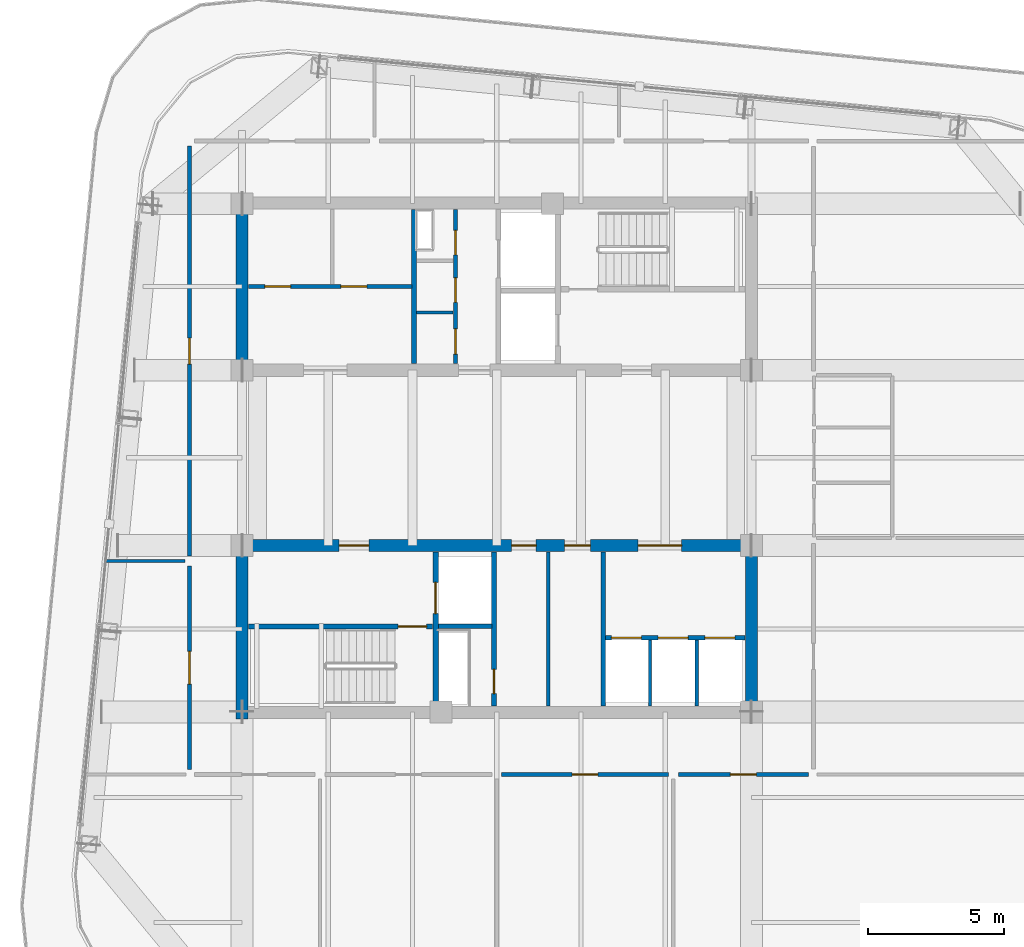
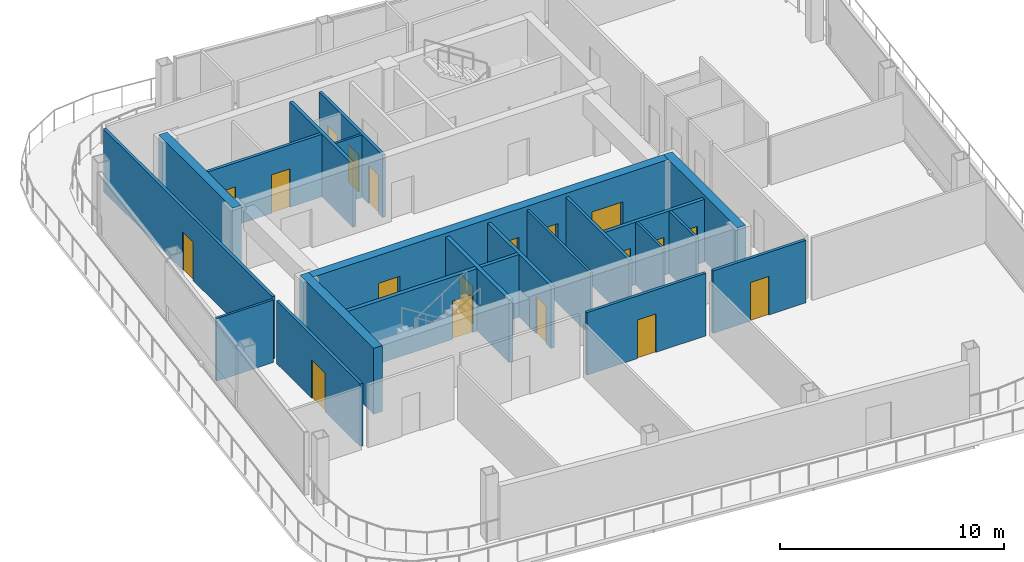
# One storey, part 13 of 20: 22 walls, 19 doors, 19 openings.
"""IFC4 building model written with IfcOpenShell, lengths in metres."""

from ifc_helpers import new_model, si_unit, direction, frame, frame_2d, origin, place, context, subcontext, project, spatial, rectangle, extrude, material, layer, layer_set, type_object, element, fill, save


model = new_model("IFC4")

# Units and contexts
model_context = context("Model", 3, precision=1e-05, world=origin(), true_north=direction((0.0, 1.0)))
body_context = subcontext(model_context, "Body", "Model", "MODEL_VIEW")
ifc_project = project(units=[si_unit("LENGTHUNIT", "METRE"), si_unit("AREAUNIT", "SQUARE_METRE"), si_unit("VOLUMEUNIT", "CUBIC_METRE"), si_unit("PLANEANGLEUNIT", "RADIAN"), si_unit("MASSUNIT", "GRAM", prefix="KILO")], contexts=[model_context])

# Site, building, storey
site_placement = place(None, origin())
site = spatial("IfcSite", under=ifc_project, at=site_placement, CompositionType="ELEMENT")
building_placement = place(site_placement, origin())
building = spatial("IfcBuilding", under=site, at=building_placement, Name="Qhalaya Broadcast Tower", CompositionType="ELEMENT")
storey_placement = place(building_placement, frame((0.0, 0.0, 273.35009765625)))
storey = spatial("IfcBuildingStorey", under=building, at=storey_placement, Name="L81", CompositionType="ELEMENT", Elevation=273.35009765625)

# Wall, openings, doors
ifc_material_1 = material(Name="Gypsum Acoustic Partition")
ifc_layer_1 = layer(ifc_material_1, 0.14990234375, Name="Gypsum Acoustic Partition")
ifc_layer_set_1 = layer_set([ifc_layer_1], Name="Gypsum Acoustic Partition")
wall_type_1 = type_object("IfcWallType", Name="Corridor & Tenancy Acoustic Partition 150", PredefinedType="PARTITIONING", material=ifc_layer_set_1)
wall_1_placement = place(storey_placement, frame((-1.52001953125, 4.070068359375, 0.0), z_axis=(0.0, 0.0, 1.0), x_axis=(0.0, 1.0, 0.0)))
wall_1 = element("IfcWall", 1, at=wall_1_placement, inside=storey, type_object=wall_type_1, Name="L81 Partition Wall NCW-SVL", PredefinedType="PARTITIONING", context=body_context, shape_type="SweptSolid", body=[
    extrude(rectangle(XDim=5.659912109375, YDim=0.14990234375, at=frame_2d((2.830078125, 0.0))), origin(), (0.0, 0.0, 1.0), 3.409912109375),
])
opening_1_placement = place(wall_1_placement, frame((4.0, 0.0, 0.0)))
opening_1 = element("IfcOpeningElement", 2, at=opening_1_placement, cuts=wall_1, Name="Opening D06", PredefinedType="OPENING", context=body_context, shape_type="SweptSolid", body=[
    extrude(rectangle(XDim=0.89990234375, YDim=2.050048828125, at=frame_2d((0.449951171875, 1.02490234375))), frame((0.0, 0.0869140625, 0.0), z_axis=(0.0, -1.0, 0.0), x_axis=(1.0, 0.0, 0.0)), (0.0, 0.0, 1.0), 0.173828125),
])
opening_2_placement = place(wall_1_placement, frame((2.25, 0.0, 0.0)))
opening_2 = element("IfcOpeningElement", 3, at=opening_2_placement, cuts=wall_1, Name="Opening D06", PredefinedType="OPENING", context=body_context, shape_type="SweptSolid", body=[
    extrude(rectangle(XDim=0.89990234375, YDim=2.050048828125, at=frame_2d((0.449951171875, 1.02490234375))), frame((0.0, 0.0869140625, 0.0), z_axis=(0.0, -1.0, 0.0), x_axis=(1.0, 0.0, 0.0)), (0.0, 0.0, 1.0), 0.173828125),
])
opening_3_placement = place(wall_1_placement, frame((0.35009765625, 0.0, 0.0)))
opening_3 = element("IfcOpeningElement", 4, at=opening_3_placement, cuts=wall_1, Name="Opening D12", PredefinedType="OPENING", context=body_context, shape_type="SweptSolid", body=[
    extrude(rectangle(XDim=0.919921875, YDim=2.10009765625, at=frame_2d((0.4599609375, 1.050048828125))), frame((0.0, 0.0869140625, 0.0), z_axis=(0.0, -1.0, 0.0), x_axis=(1.0, 0.0, 0.0)), (0.0, 0.0, 1.0), 0.173828125),
])
ifc_material_2 = material(Name="Timber Veneer Acoustic Door", Category="wood")
door_type_1 = type_object("IfcDoorType", Name="Accessible WC & Restroom Door D12", OperationType="NOTDEFINED", PredefinedType="DOOR", material=ifc_material_2)
door_1_placement = place(opening_3_placement, origin())
door_1 = element("IfcDoor", 5, at=door_1_placement, inside=storey, type_object=door_type_1, Name="L81 Door D-NCWC", OperationType="SINGLE_SWING_RIGHT", OverallHeight=2.10009765625, OverallWidth=0.919921875, PredefinedType="DOOR", context=body_context, shape_type="SweptSolid", body=[
    extrude(rectangle(XDim=0.919921875, YDim=2.10009765625, at=frame_2d((0.4599609375, 1.050048828125))), frame((0.0, 0.02490234375, 0.0), z_axis=(0.0, -1.0, 0.0), x_axis=(1.0, 0.0, 0.0)), (0.0, 0.0, 1.0), 0.050048828125),
])
fill(opening_3, door_1)
ifc_material_3 = material(Name="Fire-Rated Steel Door", Category="steel")
door_type_2 = type_object("IfcDoorType", Name="Riser & Electrical Shaft Access Door D06", OperationType="NOTDEFINED", PredefinedType="DOOR", material=ifc_material_3)
door_2_placement = place(opening_1_placement, origin())
door_2 = element("IfcDoor", 6, at=door_2_placement, inside=storey, type_object=door_type_2, Name="L81 Riser Shaft Access Door D-NRSR", OperationType="SINGLE_SWING_RIGHT", OverallHeight=2.050048828125, OverallWidth=0.89990234375, PredefinedType="DOOR", context=body_context, shape_type="SweptSolid", body=[
    extrude(rectangle(XDim=0.89990234375, YDim=2.050048828125, at=frame_2d((0.449951171875, 1.02490234375))), frame((0.0, 0.02490234375, 0.0), z_axis=(0.0, -1.0, 0.0), x_axis=(1.0, 0.0, 0.0)), (0.0, 0.0, 1.0), 0.050048828125),
])
fill(opening_1, door_2)
door_3_placement = place(opening_2_placement, origin())
door_3 = element("IfcDoor", 7, at=door_3_placement, inside=storey, type_object=door_type_2, Name="L81 Door D-NITR", OperationType="SINGLE_SWING_LEFT", OverallHeight=2.050048828125, OverallWidth=0.89990234375, PredefinedType="DOOR", context=body_context, shape_type="SweptSolid", body=[
    extrude(rectangle(XDim=0.89990234375, YDim=2.050048828125, at=frame_2d((0.449951171875, 1.02490234375))), frame((0.0, 0.02490234375, 0.0), z_axis=(0.0, -1.0, 0.0), x_axis=(1.0, 0.0, 0.0)), (0.0, 0.0, 1.0), 0.050048828125),
])
fill(opening_2, door_3)

wall_2_placement = place(storey_placement, frame((-9.1298828125, 6.89990234375, 0.0), z_axis=(0.0, 0.0, 1.0), x_axis=(1.0, 0.0, 0.0)))
wall_2 = element("IfcWall", 8, at=wall_2_placement, inside=storey, type_object=wall_type_1, Name="L81 Partition Wall NCW-REC1", PredefinedType="PARTITIONING", context=body_context, shape_type="SweptSolid", body=[
    extrude(rectangle(XDim=6.009765625, YDim=0.14990234375, at=frame_2d((3.0048828125, 0.0))), origin(), (0.0, 0.0, 1.0), 3.409912109375),
])
opening_4_placement = place(wall_2_placement, frame((0.60009765625, 0.0, 0.0)))
opening_4 = element("IfcOpeningElement", 9, at=opening_4_placement, cuts=wall_2, Name="Opening D10", PredefinedType="OPENING", context=body_context, shape_type="SweptSolid", body=[
    extrude(rectangle(XDim=0.949951171875, YDim=2.10009765625, at=frame_2d((0.47509765625, 1.050048828125))), frame((0.0, 0.0869140625, 0.0), z_axis=(0.0, -1.0, 0.0), x_axis=(1.0, 0.0, 0.0)), (0.0, 0.0, 1.0), 0.173828125),
])
opening_5_placement = place(wall_2_placement, frame((3.39990234375, 0.0, 0.0)))
opening_5 = element("IfcOpeningElement", 10, at=opening_5_placement, cuts=wall_2, Name="Opening D10", PredefinedType="OPENING", context=body_context, shape_type="SweptSolid", body=[
    extrude(rectangle(XDim=0.949951171875, YDim=2.10009765625, at=frame_2d((0.47509765625, 1.050048828125))), frame((0.0, 0.0869140625, 0.0), z_axis=(0.0, -1.0, 0.0), x_axis=(1.0, 0.0, 0.0)), (0.0, 0.0, 1.0), 0.173828125),
])
door_type_3 = type_object("IfcDoorType", Name="Cellular Office & Edit Booth Door D10", OperationType="NOTDEFINED", PredefinedType="DOOR", material=ifc_material_2)
door_4_placement = place(opening_4_placement, origin())
door_4 = element("IfcDoor", 11, at=door_4_placement, inside=storey, type_object=door_type_3, Name="L81 Door D-NREC1", OperationType="SINGLE_SWING_LEFT", OverallHeight=2.10009765625, OverallWidth=0.949951171875, PredefinedType="DOOR", context=body_context, shape_type="SweptSolid", body=[
    extrude(rectangle(XDim=0.949951171875, YDim=2.10009765625, at=frame_2d((0.47509765625, 1.050048828125))), frame((0.0, 0.02490234375, 0.0), z_axis=(0.0, -1.0, 0.0), x_axis=(1.0, 0.0, 0.0)), (0.0, 0.0, 1.0), 0.050048828125),
])
fill(opening_4, door_4)
door_5_placement = place(opening_5_placement, origin())
door_5 = element("IfcDoor", 12, at=door_5_placement, inside=storey, type_object=door_type_3, Name="L81 Door D-NREC2", OperationType="SINGLE_SWING_RIGHT", OverallHeight=2.10009765625, OverallWidth=0.949951171875, PredefinedType="DOOR", context=body_context, shape_type="SweptSolid", body=[
    extrude(rectangle(XDim=0.949951171875, YDim=2.10009765625, at=frame_2d((0.47509765625, 1.050048828125))), frame((0.0, 0.02490234375, 0.0), z_axis=(0.0, -1.0, 0.0), x_axis=(1.0, 0.0, 0.0)), (0.0, 0.0, 1.0), 0.050048828125),
])
fill(opening_5, door_5)

# Wall
wall_3_placement = place(storey_placement, frame((3.919921875, -8.530029296875, 0.0), z_axis=(0.0, 0.0, 1.0), x_axis=(0.0, 1.0, 0.0)))
element("IfcWall", 13, at=wall_3_placement, inside=storey, type_object=wall_type_1, Name="L81 Partition Wall SCW-HSEP", PredefinedType="PARTITIONING", context=body_context, shape_type="SweptSolid", body=[
    extrude(rectangle(XDim=5.659912109375, YDim=0.14990234375, at=frame_2d((2.830078125, 0.0))), origin(), (0.0, 0.0, 1.0), 3.409912109375),
])

# Wall, opening, door
wall_4_placement = place(storey_placement, frame((0.179931640625, -11.050048828125, 0.0), z_axis=(0.0, 0.0, 1.0), x_axis=(1.0, 0.0, 0.0)))
wall_4 = element("IfcWall", 14, at=wall_4_placement, inside=storey, type_object=wall_type_1, Name="L81 Partition Wall W-COR-06", PredefinedType="PARTITIONING", context=body_context, shape_type="SweptSolid", body=[
    extrude(rectangle(XDim=6.14013671875, YDim=0.14990234375, at=frame_2d((3.070068359375, 0.0))), origin(), (0.0, 0.0, 1.0), 3.409912109375),
])
opening_6_placement = place(wall_4_placement, frame((2.594970703125, 0.0, 0.0)))
opening_6 = element("IfcOpeningElement", 15, at=opening_6_placement, cuts=wall_4, Name="Opening D10", PredefinedType="OPENING", context=body_context, shape_type="SweptSolid", body=[
    extrude(rectangle(XDim=0.949951171875, YDim=2.10009765625, at=frame_2d((0.47509765625, 1.050048828125))), frame((0.0, 0.0869140625, 0.0), z_axis=(0.0, -1.0, 0.0), x_axis=(1.0, 0.0, 0.0)), (0.0, 0.0, 1.0), 0.173828125),
])
door_6_placement = place(opening_6_placement, origin())
door_6 = element("IfcDoor", 16, at=door_6_placement, inside=storey, type_object=door_type_3, Name="L81 Door D-RM06", OperationType="SINGLE_SWING_RIGHT", OverallHeight=2.10009765625, OverallWidth=0.949951171875, PredefinedType="DOOR", context=body_context, shape_type="SweptSolid", body=[
    extrude(rectangle(XDim=0.949951171875, YDim=2.10009765625, at=frame_2d((0.47509765625, 1.050048828125))), frame((0.0, 0.02490234375, 0.0), z_axis=(0.0, -1.0, 0.0), x_axis=(1.0, 0.0, 0.0)), (0.0, 0.0, 1.0), 0.050048828125),
])
fill(opening_6, door_6)

wall_5_placement = place(storey_placement, frame((6.679931640625, -11.050048828125, 0.0), z_axis=(0.0, 0.0, 1.0), x_axis=(1.0, 0.0, 0.0)))
wall_5 = element("IfcWall", 17, at=wall_5_placement, inside=storey, type_object=wall_type_1, Name="L81 Partition Wall W-COR-07", PredefinedType="PARTITIONING", context=body_context, shape_type="SweptSolid", body=[
    extrude(rectangle(XDim=4.7900390625, YDim=0.14990234375, at=frame_2d((2.39501953125, 0.0))), origin(), (0.0, 0.0, 1.0), 3.409912109375),
])
opening_7_placement = place(wall_5_placement, frame((1.919921875, 0.0, 0.0)))
opening_7 = element("IfcOpeningElement", 18, at=opening_7_placement, cuts=wall_5, Name="Opening D10", PredefinedType="OPENING", context=body_context, shape_type="SweptSolid", body=[
    extrude(rectangle(XDim=0.949951171875, YDim=2.10009765625, at=frame_2d((0.47509765625, 1.050048828125))), frame((0.0, 0.0869140625, 0.0), z_axis=(0.0, -1.0, 0.0), x_axis=(1.0, 0.0, 0.0)), (0.0, 0.0, 1.0), 0.173828125),
])
door_7_placement = place(opening_7_placement, origin())
door_7 = element("IfcDoor", 19, at=door_7_placement, inside=storey, type_object=door_type_3, Name="L81 Door D-RM07", OperationType="SINGLE_SWING_LEFT", OverallHeight=2.10009765625, OverallWidth=0.949951171875, PredefinedType="DOOR", context=body_context, shape_type="SweptSolid", body=[
    extrude(rectangle(XDim=0.949951171875, YDim=2.10009765625, at=frame_2d((0.47509765625, 1.050048828125))), frame((0.0, 0.02490234375, 0.0), z_axis=(0.0, -1.0, 0.0), x_axis=(1.0, 0.0, 0.0)), (0.0, 0.0, 1.0), 0.050048828125),
])
fill(opening_7, door_7)

wall_6_placement = place(storey_placement, frame((-11.300048828125, -10.8701171875, 0.0), z_axis=(0.0, 0.0, 1.0), x_axis=(0.0, 1.0, 0.0)))
wall_6 = element("IfcWall", 20, at=wall_6_placement, inside=storey, type_object=wall_type_1, Name="L81 Partition Wall W-COR-08", PredefinedType="PARTITIONING", context=body_context, shape_type="SweptSolid", body=[
    extrude(rectangle(XDim=7.490234375, YDim=0.14990234375, at=frame_2d((3.7451171875, 0.0))), origin(), (0.0, 0.0, 1.0), 3.409912109375),
])
opening_8_placement = place(wall_6_placement, frame((3.14501953125, 0.0, 0.0)))
opening_8 = element("IfcOpeningElement", 21, at=opening_8_placement, cuts=wall_6, Name="Opening D11", PredefinedType="OPENING", context=body_context, shape_type="SweptSolid", body=[
    extrude(rectangle(XDim=1.199951171875, YDim=2.10009765625, at=frame_2d((0.60009765625, 1.050048828125))), frame((0.0, 0.0869140625, 0.0), z_axis=(0.0, -1.0, 0.0), x_axis=(1.0, 0.0, 0.0)), (0.0, 0.0, 1.0), 0.173828125),
])
ifc_material_4 = material(Name="Anodised Aluminium Glazed Door", Category="aluminium")
door_type_4 = type_object("IfcDoorType", Name="Conference, Boardroom & Studio Control Door D11", OperationType="NOTDEFINED", PredefinedType="DOOR", material=ifc_material_4)
door_8_placement = place(opening_8_placement, origin())
door_8 = element("IfcDoor", 22, at=door_8_placement, inside=storey, type_object=door_type_4, Name="L81 Door D-RM08", OperationType="SINGLE_SWING_RIGHT", OverallHeight=2.10009765625, OverallWidth=1.199951171875, PredefinedType="DOOR", context=body_context, shape_type="SweptSolid", body=[
    extrude(rectangle(XDim=1.199951171875, YDim=2.10009765625, at=frame_2d((0.60009765625, 1.050048828125))), frame((0.0, 0.02490234375, 0.0), z_axis=(0.0, -1.0, 0.0), x_axis=(1.0, 0.0, 0.0)), (0.0, 0.0, 1.0), 0.050048828125),
])
fill(opening_8, door_8)

wall_7_placement = place(storey_placement, frame((-11.300048828125, -3.02001953125, 0.0), z_axis=(0.0, 0.0, 1.0), x_axis=(0.0, 1.0, 0.0)))
wall_7 = element("IfcWall", 23, at=wall_7_placement, inside=storey, type_object=wall_type_1, Name="L81 Partition Wall W-COR-09", PredefinedType="PARTITIONING", context=body_context, shape_type="SweptSolid", body=[
    extrude(rectangle(XDim=15.090087890625, YDim=0.14990234375, at=frame_2d((7.544921875, 0.0))), origin(), (0.0, 0.0, 1.0), 3.409912109375),
])
opening_9_placement = place(wall_7_placement, frame((7.070068359375, 0.0, 0.0)))
opening_9 = element("IfcOpeningElement", 24, at=opening_9_placement, cuts=wall_7, Name="Opening D10", PredefinedType="OPENING", context=body_context, shape_type="SweptSolid", body=[
    extrude(rectangle(XDim=0.949951171875, YDim=2.10009765625, at=frame_2d((0.47509765625, 1.050048828125))), frame((0.0, 0.0869140625, 0.0), z_axis=(0.0, -1.0, 0.0), x_axis=(1.0, 0.0, 0.0)), (0.0, 0.0, 1.0), 0.173828125),
])
door_9_placement = place(opening_9_placement, origin())
door_9 = element("IfcDoor", 25, at=door_9_placement, inside=storey, type_object=door_type_3, Name="L81 Door D-RM09", OperationType="SINGLE_SWING_LEFT", OverallHeight=2.10009765625, OverallWidth=0.949951171875, PredefinedType="DOOR", context=body_context, shape_type="SweptSolid", body=[
    extrude(rectangle(XDim=0.949951171875, YDim=2.10009765625, at=frame_2d((0.47509765625, 1.050048828125))), frame((0.0, 0.02490234375, 0.0), z_axis=(0.0, -1.0, 0.0), x_axis=(1.0, 0.0, 0.0)), (0.0, 0.0, 1.0), 0.050048828125),
])
fill(opening_9, door_9)

ifc_material_5 = material(Name="Concrete C50/60", Category="concrete")
ifc_layer_2 = layer(ifc_material_5, 0.199951171875, Name="Concrete C50/60")
ifc_layer_set_2 = layer_set([ifc_layer_2], Name="Concrete C50/60")
wall_type_2 = type_object("IfcWallType", Name="Load-Bearing Stair Shaft Wall 200", PredefinedType="SHEAR", material=ifc_layer_set_2)
wall_8_placement = place(storey_placement, frame((-9.1298828125, -5.60498046875, 0.0), z_axis=(0.0, 0.0, 1.0), x_axis=(1.0, 0.0, 0.0)))
wall_8 = element("IfcWall", 26, at=wall_8_placement, inside=storey, type_object=wall_type_2, Name="L81 Stair Core Shear Wall SCW-ST2", PredefinedType="SHEAR", context=body_context, shape_type="SweptSolid", body=[
    extrude(rectangle(XDim=6.769775390625, YDim=0.199951171875, at=frame_2d((3.384765625, 0.0))), origin(), (0.0, 0.0, 1.0), 3.409912109375),
])
opening_10_placement = place(wall_8_placement, frame((5.5, 0.0, 0.0)))
opening_10 = element("IfcOpeningElement", 27, at=opening_10_placement, cuts=wall_8, Name="Opening D03", PredefinedType="OPENING", context=body_context, shape_type="SweptSolid", body=[
    extrude(rectangle(XDim=1.050048828125, YDim=2.080078125, at=frame_2d((0.52490234375, 1.0400390625))), frame((0.0, 0.112060546875, 0.0), z_axis=(0.0, -1.0, 0.0), x_axis=(1.0, 0.0, 0.0)), (0.0, 0.0, 1.0), 0.223876953125),
])
door_type_5 = type_object("IfcDoorType", Name="Core Stair Protected Fire Door D03", OperationType="NOTDEFINED", PredefinedType="DOOR", material=ifc_material_3)
door_10_placement = place(opening_10_placement, origin())
door_10 = element("IfcDoor", 28, at=door_10_placement, inside=storey, type_object=door_type_5, Name="L81 Door D-SST2", OperationType="SINGLE_SWING_RIGHT", OverallHeight=2.080078125, OverallWidth=1.050048828125, PredefinedType="DOOR", context=body_context, shape_type="SweptSolid", body=[
    extrude(rectangle(XDim=1.050048828125, YDim=2.080078125, at=frame_2d((0.52490234375, 1.0400390625))), frame((0.0, 0.02490234375, 0.0), z_axis=(0.0, -1.0, 0.0), x_axis=(1.0, 0.0, 0.0)), (0.0, 0.0, 1.0), 0.050048828125),
])
fill(opening_10, door_10)

wall_9_placement = place(storey_placement, frame((-2.25, -8.530029296875, 0.0), z_axis=(0.0, 0.0, 1.0), x_axis=(0.0, 1.0, 0.0)))
wall_9 = element("IfcWall", 29, at=wall_9_placement, inside=storey, type_object=wall_type_2, Name="L81 Stair Core Shear Wall SCW-FF", PredefinedType="SHEAR", context=body_context, shape_type="SweptSolid", body=[
    extrude(rectangle(XDim=5.659912109375, YDim=0.199951171875, at=frame_2d((2.830078125, 0.0))), origin(), (0.0, 0.0, 1.0), 3.409912109375),
])
opening_11_placement = place(wall_9_placement, frame((3.39990234375, 0.0, 0.0)))
opening_11 = element("IfcOpeningElement", 30, at=opening_11_placement, cuts=wall_9, Name="Opening LD2", PredefinedType="OPENING", context=body_context, shape_type="SweptSolid", body=[
    extrude(rectangle(XDim=1.14990234375, YDim=2.080078125, at=frame_2d((0.574951171875, 1.0400390625))), frame((0.0, 0.112060546875, 0.0), z_axis=(0.0, -1.0, 0.0), x_axis=(1.0, 0.0, 0.0)), (0.0, 0.0, 1.0), 0.223876953125),
])
ifc_material_6 = material(Name="Brushed Stainless Steel Lift Door", Category="steel")
door_type_6 = type_object("IfcDoorType", Name="Firefighting Lift Sliding Landing Door LD2", OperationType="DOUBLE_DOOR_SLIDING", PredefinedType="DOOR", material=ifc_material_6)
door_11_placement = place(opening_11_placement, origin())
door_11 = element("IfcDoor", 31, at=door_11_placement, inside=storey, type_object=door_type_6, Name="L81 Door LD-FF2", OperationType="DOUBLE_DOOR_SLIDING", OverallHeight=2.080078125, OverallWidth=1.14990234375, PredefinedType="DOOR", context=body_context, shape_type="SweptSolid", body=[
    extrude(rectangle(XDim=1.14990234375, YDim=2.080078125, at=frame_2d((0.574951171875, 1.0400390625))), frame((0.0, 0.02490234375, 0.0), z_axis=(0.0, -1.0, 0.0), x_axis=(1.0, 0.0, 0.0)), (0.0, 0.0, 1.0), 0.050048828125),
])
fill(opening_11, door_11)

# Walls
ifc_layer_3 = layer(ifc_material_1, 0.1201171875, Name="Gypsum Acoustic Partition")
ifc_layer_set_3 = layer_set([ifc_layer_3], Name="Gypsum Acoustic Partition")
wall_type_3 = type_object("IfcWallType", Name="Office, Booth & Sanitary Partition 120", PredefinedType="PARTITIONING", material=ifc_layer_set_3)
wall_10_placement = place(storey_placement, frame((-2.9599609375, 5.949951171875, 0.0), z_axis=(0.0, 0.0, 1.0), x_axis=(1.0, 0.0, 0.0)))
element("IfcWall", 32, at=wall_10_placement, inside=storey, type_object=wall_type_3, Name="L81 Partition Wall NCW-VB1", PredefinedType="PARTITIONING", context=body_context, shape_type="SweptSolid", body=[
    extrude(rectangle(XDim=1.35986328125, YDim=0.1201171875, at=frame_2d((0.679931640625, 0.0))), origin(), (0.0, 0.0, 1.0), 3.409912109375),
])
wall_11_placement = place(storey_placement, frame((1.89990234375, -8.530029296875, 0.0), z_axis=(0.0, 0.0, 1.0), x_axis=(0.0, 1.0, 0.0)))
element("IfcWall", 33, at=wall_11_placement, inside=storey, type_object=wall_type_3, Name="L81 Partition Wall SCW-RKB", PredefinedType="PARTITIONING", context=body_context, shape_type="SweptSolid", body=[
    extrude(rectangle(XDim=5.659912109375, YDim=0.1201171875, at=frame_2d((2.830078125, 0.0))), origin(), (0.0, 0.0, 1.0), 3.409912109375),
])
for number, where, z_axis, x_axis, name in (
    (34, (5.639892578125, -8.530029296875, 0.0), (0.0, 0.0, 1.0), (0.0, 1.0, 0.0), "L81 Partition Wall SCW-HD6"),
    (35, (7.360107421875, -8.530029296875, 0.0), (0.0, 0.0, 1.0), (0.0, 1.0, 0.0), "L81 Partition Wall SCW-HD7"),
):
    element("IfcWall", number, at=place(storey_placement, frame(where, z_axis=z_axis, x_axis=x_axis)), inside=storey, type_object=wall_type_3, Name=name, PredefinedType="PARTITIONING", context=body_context, shape_type="SweptSolid", body=[
        extrude(rectangle(XDim=2.429931640625, YDim=0.1201171875, at=frame_2d((1.21484375, 0.0))), origin(), (0.0, 0.0, 1.0), 3.409912109375),
    ])
wall_12_placement = place(storey_placement, frame((-14.389892578125, -3.199951171875, 0.0), z_axis=(0.0, 0.0, 1.0), x_axis=(1.0, 0.0, 0.0)))
element("IfcWall", 36, at=wall_12_placement, inside=storey, type_object=wall_type_3, Name="L81 Partition Wall W-DIVW1", PredefinedType="PARTITIONING", context=body_context, shape_type="SweptSolid", body=[
    extrude(rectangle(XDim=2.929931640625, YDim=0.1201171875, at=frame_2d((1.46484375, 0.0))), origin(), (0.0, 0.0, 1.0), 3.409912109375),
])
ifc_layer_4 = layer(ifc_material_1, 0.175048828125, Name="Gypsum Acoustic Partition")
ifc_layer_set_4 = layer_set([ifc_layer_4], Name="Gypsum Acoustic Partition")
wall_type_4 = type_object("IfcWallType", Name="Shaft & Riser Fire Partition 175", PredefinedType="PARTITIONING", material=ifc_layer_set_4)
wall_13_placement = place(storey_placement, frame((-3.0400390625, 4.070068359375, 0.0), z_axis=(0.0, 0.0, 1.0), x_axis=(0.0, 1.0, 0.0)))
element("IfcWall", 37, at=wall_13_placement, inside=storey, type_object=wall_type_4, Name="L81 Partition Wall NCW-VRW", PredefinedType="PARTITIONING", context=body_context, shape_type="SweptSolid", body=[
    extrude(rectangle(XDim=5.659912109375, YDim=0.175048828125, at=frame_2d((2.830078125, 0.0))), origin(), (0.0, 0.0, 1.0), 3.409912109375),
])

# Wall, opening, door
wall_14_placement = place(storey_placement, frame((-0.10009765625, -8.530029296875, 0.0), z_axis=(0.0, 0.0, 1.0), x_axis=(0.0, 1.0, 0.0)))
wall_14 = element("IfcWall", 38, at=wall_14_placement, inside=storey, type_object=wall_type_4, Name="L81 Partition Wall SCW-FFE", PredefinedType="PARTITIONING", context=body_context, shape_type="SweptSolid", body=[
    extrude(rectangle(XDim=5.659912109375, YDim=0.175048828125, at=frame_2d((2.830078125, 0.0))), origin(), (0.0, 0.0, 1.0), 3.409912109375),
])
opening_12_placement = place(wall_14_placement, frame((0.449951171875, 0.0, 0.0)))
opening_12 = element("IfcOpeningElement", 39, at=opening_12_placement, cuts=wall_14, Name="Opening D06", PredefinedType="OPENING", context=body_context, shape_type="SweptSolid", body=[
    extrude(rectangle(XDim=0.89990234375, YDim=2.050048828125, at=frame_2d((0.449951171875, 1.02490234375))), frame((0.0, 0.099609375, 0.0), z_axis=(0.0, -1.0, 0.0), x_axis=(1.0, 0.0, 0.0)), (0.0, 0.0, 1.0), 0.198974609375),
])
door_12_placement = place(opening_12_placement, origin())
door_12 = element("IfcDoor", 40, at=door_12_placement, inside=storey, type_object=door_type_2, Name="L81 Riser Shaft Access Door D-SRSR", OperationType="SINGLE_SWING_LEFT", OverallHeight=2.050048828125, OverallWidth=0.89990234375, PredefinedType="DOOR", context=body_context, shape_type="SweptSolid", body=[
    extrude(rectangle(XDim=0.89990234375, YDim=2.050048828125, at=frame_2d((0.449951171875, 1.02490234375))), frame((0.0, 0.02490234375, 0.0), z_axis=(0.0, -1.0, 0.0), x_axis=(1.0, 0.0, 0.0)), (0.0, 0.0, 1.0), 0.050048828125),
])
fill(opening_12, door_12)

# Wall
wall_15_placement = place(storey_placement, frame((-2.14990234375, -5.60009765625, 0.0), z_axis=(0.0, 0.0, 1.0), x_axis=(1.0, 0.0, 0.0)))
element("IfcWall", 41, at=wall_15_placement, inside=storey, type_object=wall_type_4, Name="L81 Partition Wall SCW-FFM", PredefinedType="PARTITIONING", context=body_context, shape_type="SweptSolid", body=[
    extrude(rectangle(XDim=1.969970703125, YDim=0.175048828125, at=frame_2d((0.98486328125, 0.0))), origin(), (0.0, 0.0, 1.0), 3.409912109375),
])

# Wall, openings, doors
wall_16_placement = place(storey_placement, frame((4.0, -6.02001953125, 0.0), z_axis=(0.0, 0.0, 1.0), x_axis=(1.0, 0.0, 0.0)))
wall_16 = element("IfcWall", 42, at=wall_16_placement, inside=storey, type_object=wall_type_4, Name="L81 Partition Wall SCW-SLB", PredefinedType="PARTITIONING", context=body_context, shape_type="SweptSolid", body=[
    extrude(rectangle(XDim=5.1298828125, YDim=0.175048828125, at=frame_2d((2.56494140625, 0.0))), origin(), (0.0, 0.0, 1.0), 3.409912109375),
])
opening_13_placement = place(wall_16_placement, frame((0.219970703125, 0.0, 0.0)))
opening_13 = element("IfcOpeningElement", 43, at=opening_13_placement, cuts=wall_16, Name="Opening LD1", PredefinedType="OPENING", context=body_context, shape_type="SweptSolid", body=[
    extrude(rectangle(XDim=1.10009765625, YDim=2.06005859375, at=frame_2d((0.550048828125, 1.030029296875))), frame((0.0, 0.099609375, 0.0), z_axis=(0.0, -1.0, 0.0), x_axis=(1.0, 0.0, 0.0)), (0.0, 0.0, 1.0), 0.198974609375),
])
opening_14_placement = place(wall_16_placement, frame((1.93994140625, 0.0, 0.0)))
opening_14 = element("IfcOpeningElement", 44, at=opening_14_placement, cuts=wall_16, Name="Opening LD1", PredefinedType="OPENING", context=body_context, shape_type="SweptSolid", body=[
    extrude(rectangle(XDim=1.10009765625, YDim=2.06005859375, at=frame_2d((0.550048828125, 1.030029296875))), frame((0.0, 0.099609375, 0.0), z_axis=(0.0, -1.0, 0.0), x_axis=(1.0, 0.0, 0.0)), (0.0, 0.0, 1.0), 0.198974609375),
])
opening_15_placement = place(wall_16_placement, frame((3.659912109375, 0.0, 0.0)))
opening_15 = element("IfcOpeningElement", 45, at=opening_15_placement, cuts=wall_16, Name="Opening LD1", PredefinedType="OPENING", context=body_context, shape_type="SweptSolid", body=[
    extrude(rectangle(XDim=1.10009765625, YDim=2.06005859375, at=frame_2d((0.550048828125, 1.030029296875))), frame((0.0, 0.099609375, 0.0), z_axis=(0.0, -1.0, 0.0), x_axis=(1.0, 0.0, 0.0)), (0.0, 0.0, 1.0), 0.198974609375),
])
door_type_7 = type_object("IfcDoorType", Name="Passenger Lift Sliding Landing Door LD1", OperationType="DOUBLE_DOOR_SLIDING", PredefinedType="DOOR", material=ifc_material_6)
door_13_placement = place(opening_13_placement, origin())
door_13 = element("IfcDoor", 46, at=door_13_placement, inside=storey, type_object=door_type_7, Name="L81 Door LD-P6", OperationType="DOUBLE_DOOR_SLIDING", OverallHeight=2.06005859375, OverallWidth=1.10009765625, PredefinedType="DOOR", context=body_context, shape_type="SweptSolid", body=[
    extrude(rectangle(XDim=1.10009765625, YDim=2.06005859375, at=frame_2d((0.550048828125, 1.030029296875))), frame((0.0, 0.02490234375, 0.0), z_axis=(0.0, -1.0, 0.0), x_axis=(1.0, 0.0, 0.0)), (0.0, 0.0, 1.0), 0.050048828125),
])
fill(opening_13, door_13)
door_14_placement = place(opening_14_placement, origin())
door_14 = element("IfcDoor", 47, at=door_14_placement, inside=storey, type_object=door_type_7, Name="L81 Door LD-P7", OperationType="DOUBLE_DOOR_SLIDING", OverallHeight=2.06005859375, OverallWidth=1.10009765625, PredefinedType="DOOR", context=body_context, shape_type="SweptSolid", body=[
    extrude(rectangle(XDim=1.10009765625, YDim=2.06005859375, at=frame_2d((0.550048828125, 1.030029296875))), frame((0.0, 0.02490234375, 0.0), z_axis=(0.0, -1.0, 0.0), x_axis=(1.0, 0.0, 0.0)), (0.0, 0.0, 1.0), 0.050048828125),
])
fill(opening_14, door_14)
door_15_placement = place(opening_15_placement, origin())
door_15 = element("IfcDoor", 48, at=door_15_placement, inside=storey, type_object=door_type_7, Name="L81 Door LD-P8", OperationType="DOUBLE_DOOR_SLIDING", OverallHeight=2.06005859375, OverallWidth=1.10009765625, PredefinedType="DOOR", context=body_context, shape_type="SweptSolid", body=[
    extrude(rectangle(XDim=1.10009765625, YDim=2.06005859375, at=frame_2d((0.550048828125, 1.030029296875))), frame((0.0, 0.02490234375, 0.0), z_axis=(0.0, -1.0, 0.0), x_axis=(1.0, 0.0, 0.0)), (0.0, 0.0, 1.0), 0.050048828125),
])
fill(opening_15, door_15)

# Wall
ifc_layer_5 = layer(ifc_material_5, 0.449951171875, Name="Concrete C50/60")
ifc_layer_set_5 = layer_set([ifc_layer_5], Name="Concrete C50/60")
wall_type_5 = type_object("IfcWallType", Name="Upper Split-Core Shear Wall 450", PredefinedType="SHEAR", material=ifc_layer_set_5)
wall_17_placement = place(storey_placement, frame((-9.375, 3.60009765625, 0.0), z_axis=(0.0, 0.0, 1.0), x_axis=(0.0, 1.0, 0.0)))
element("IfcWall", 49, at=wall_17_placement, inside=storey, type_object=wall_type_5, Name="L81 Split-Core Shear Wall CW-NW", PredefinedType="SHEAR", context=body_context, shape_type="SweptSolid", body=[
    extrude(rectangle(XDim=6.599853515625, YDim=0.449951171875, at=frame_2d((3.2998046875, 0.0))), origin(), (0.0, 0.0, 1.0), 3.599853515625),
])

# Wall, openings, doors
wall_18_placement = place(storey_placement, frame((-9.60009765625, -2.625, 0.0), z_axis=(0.0, 0.0, 1.0), x_axis=(1.0, 0.0, 0.0)))
wall_18 = element("IfcWall", 50, at=wall_18_placement, inside=storey, type_object=wall_type_5, Name="L81 Split-Core Shear Wall CW-SN", PredefinedType="SHEAR", context=body_context, shape_type="SweptSolid", body=[
    extrude(rectangle(XDim=19.2001953125, YDim=0.449951171875, at=frame_2d((9.60009765625, 0.0))), origin(), (0.0, 0.0, 1.0), 3.599853515625),
])
opening_16_placement = place(wall_18_placement, frame((3.800048828125, 0.0, 0.0)))
opening_16 = element("IfcOpeningElement", 51, at=opening_16_placement, cuts=wall_18, Name="Opening D04", PredefinedType="OPENING", context=body_context, shape_type="SweptSolid", body=[
    extrude(rectangle(XDim=1.10009765625, YDim=2.080078125, at=frame_2d((0.550048828125, 1.0400390625))), frame((0.0, 0.237060546875, 0.0), z_axis=(0.0, -1.0, 0.0), x_axis=(1.0, 0.0, 0.0)), (0.0, 0.0, 1.0), 0.473876953125),
])
opening_17_placement = place(wall_18_placement, frame((10.14990234375, 0.0, 0.0)))
opening_17 = element("IfcOpeningElement", 52, at=opening_17_placement, cuts=wall_18, Name="Opening D06", PredefinedType="OPENING", context=body_context, shape_type="SweptSolid", body=[
    extrude(rectangle(XDim=0.89990234375, YDim=2.050048828125, at=frame_2d((0.449951171875, 1.02490234375))), frame((0.0, 0.237060546875, 0.0), z_axis=(0.0, -1.0, 0.0), x_axis=(1.0, 0.0, 0.0)), (0.0, 0.0, 1.0), 0.473876953125),
])
opening_18_placement = place(wall_18_placement, frame((12.10009765625, 0.0, 0.0)))
opening_18 = element("IfcOpeningElement", 53, at=opening_18_placement, cuts=wall_18, Name="Opening D10", PredefinedType="OPENING", context=body_context, shape_type="SweptSolid", body=[
    extrude(rectangle(XDim=0.949951171875, YDim=2.10009765625, at=frame_2d((0.47509765625, 1.050048828125))), frame((0.0, 0.237060546875, 0.0), z_axis=(0.0, -1.0, 0.0), x_axis=(1.0, 0.0, 0.0)), (0.0, 0.0, 1.0), 0.473876953125),
])
opening_19_placement = place(wall_18_placement, frame((14.800048828125, 0.0, 0.0)))
opening_19 = element("IfcOpeningElement", 54, at=opening_19_placement, cuts=wall_18, Name="Opening D07", PredefinedType="OPENING", context=body_context, shape_type="SweptSolid", body=[
    extrude(rectangle(XDim=1.60009765625, YDim=2.1201171875, at=frame_2d((0.800048828125, 1.06005859375))), frame((0.0, 0.237060546875, 0.0), z_axis=(0.0, -1.0, 0.0), x_axis=(1.0, 0.0, 0.0)), (0.0, 0.0, 1.0), 0.473876953125),
])
door_16_placement = place(opening_18_placement, origin())
door_16 = element("IfcDoor", 55, at=door_16_placement, inside=storey, type_object=door_type_3, Name="L81 Door D-SREC2", OperationType="SINGLE_SWING_RIGHT", OverallHeight=2.10009765625, OverallWidth=0.949951171875, PredefinedType="DOOR", context=body_context, shape_type="SweptSolid", body=[
    extrude(rectangle(XDim=0.949951171875, YDim=2.10009765625, at=frame_2d((0.47509765625, 1.050048828125))), frame((0.0, 0.02490234375, 0.0), z_axis=(0.0, -1.0, 0.0), x_axis=(1.0, 0.0, 0.0)), (0.0, 0.0, 1.0), 0.050048828125),
])
fill(opening_18, door_16)
door_type_8 = type_object("IfcDoorType", Name="Firefighting Lobby Rated Door D04", OperationType="NOTDEFINED", PredefinedType="DOOR", material=ifc_material_3)
door_17_placement = place(opening_16_placement, origin())
door_17 = element("IfcDoor", 56, at=door_17_placement, inside=storey, type_object=door_type_8, Name="L81 Door D-SFF", OperationType="SINGLE_SWING_LEFT", OverallHeight=2.080078125, OverallWidth=1.10009765625, PredefinedType="DOOR", context=body_context, shape_type="SweptSolid", body=[
    extrude(rectangle(XDim=1.10009765625, YDim=2.080078125, at=frame_2d((0.550048828125, 1.0400390625))), frame((0.0, 0.02490234375, 0.0), z_axis=(0.0, -1.0, 0.0), x_axis=(1.0, 0.0, 0.0)), (0.0, 0.0, 1.0), 0.050048828125),
])
fill(opening_16, door_17)
door_type_9 = type_object("IfcDoorType", Name="Passenger Lift Lobby Double Glazed Door D07", OperationType="DOUBLE_DOOR_SINGLE_SWING", PredefinedType="DOOR", material=ifc_material_4)
door_18_placement = place(opening_19_placement, origin())
door_18 = element("IfcDoor", 57, at=door_18_placement, inside=storey, type_object=door_type_9, Name="L81 Door D-SPLL", OperationType="DOUBLE_DOOR_SINGLE_SWING", OverallHeight=2.1201171875, OverallWidth=1.60009765625, PredefinedType="DOOR", context=body_context, shape_type="SweptSolid", body=[
    extrude(rectangle(XDim=1.60009765625, YDim=2.1201171875, at=frame_2d((0.800048828125, 1.06005859375))), frame((0.0, 0.02490234375, 0.0), z_axis=(0.0, -1.0, 0.0), x_axis=(1.0, 0.0, 0.0)), (0.0, 0.0, 1.0), 0.050048828125),
])
fill(opening_19, door_18)
door_19_placement = place(opening_17_placement, origin())
door_19 = element("IfcDoor", 58, at=door_19_placement, inside=storey, type_object=door_type_2, Name="L81 Door D-SREC1", OperationType="SINGLE_SWING_LEFT", OverallHeight=2.050048828125, OverallWidth=0.89990234375, PredefinedType="DOOR", context=body_context, shape_type="SweptSolid", body=[
    extrude(rectangle(XDim=0.89990234375, YDim=2.050048828125, at=frame_2d((0.449951171875, 1.02490234375))), frame((0.0, 0.02490234375, 0.0), z_axis=(0.0, -1.0, 0.0), x_axis=(1.0, 0.0, 0.0)), (0.0, 0.0, 1.0), 0.050048828125),
])
fill(opening_17, door_19)

# Walls
for number, where, z_axis, x_axis, name in (
    (59, (-9.375, -9.0, 0.0), (0.0, 0.0, 1.0), (0.0, 1.0, 0.0), "L81 Split-Core Shear Wall CW-SW"),
    (60, (9.375, -9.0, 0.0), (0.0, 0.0, 1.0), (0.0, 1.0, 0.0), "L81 Split-Core Shear Wall CW-SE"),
):
    element("IfcWall", number, at=place(storey_placement, frame(where, z_axis=z_axis, x_axis=x_axis)), inside=storey, type_object=wall_type_5, Name=name, PredefinedType="SHEAR", context=body_context, shape_type="SweptSolid", body=[
        extrude(rectangle(XDim=6.60009765625, YDim=0.449951171875, at=frame_2d((3.300048828125, 0.0))), origin(), (0.0, 0.0, 1.0), 3.599853515625),
    ])

save(model, "model.ifc")
